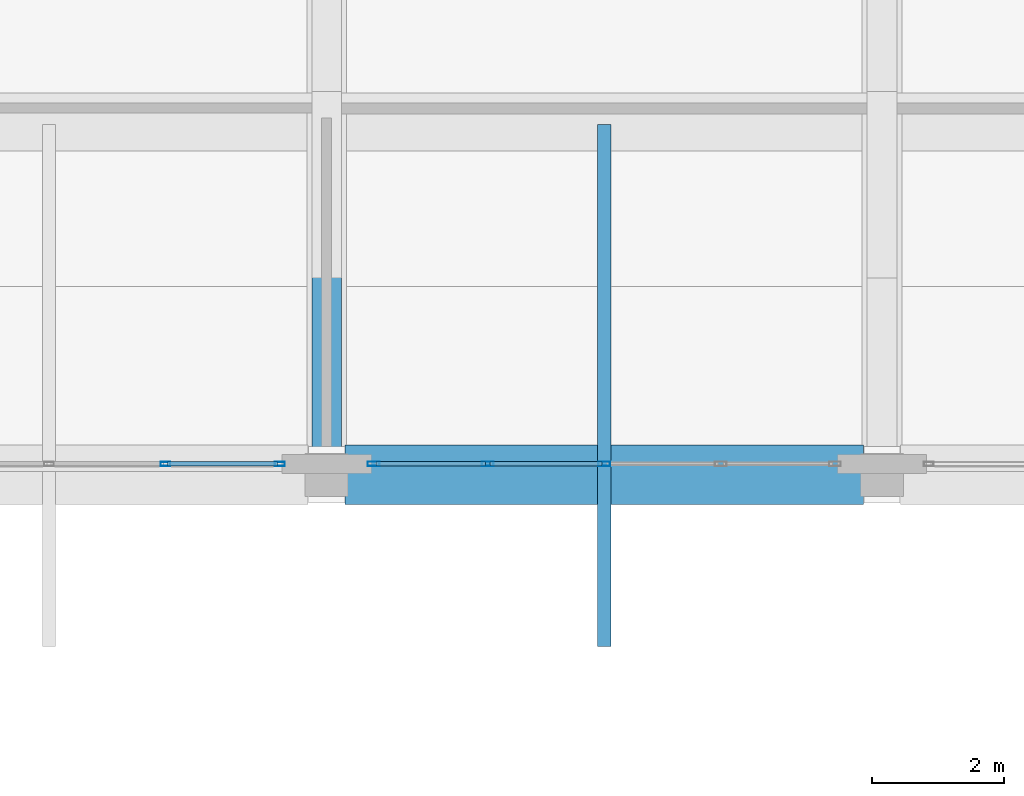
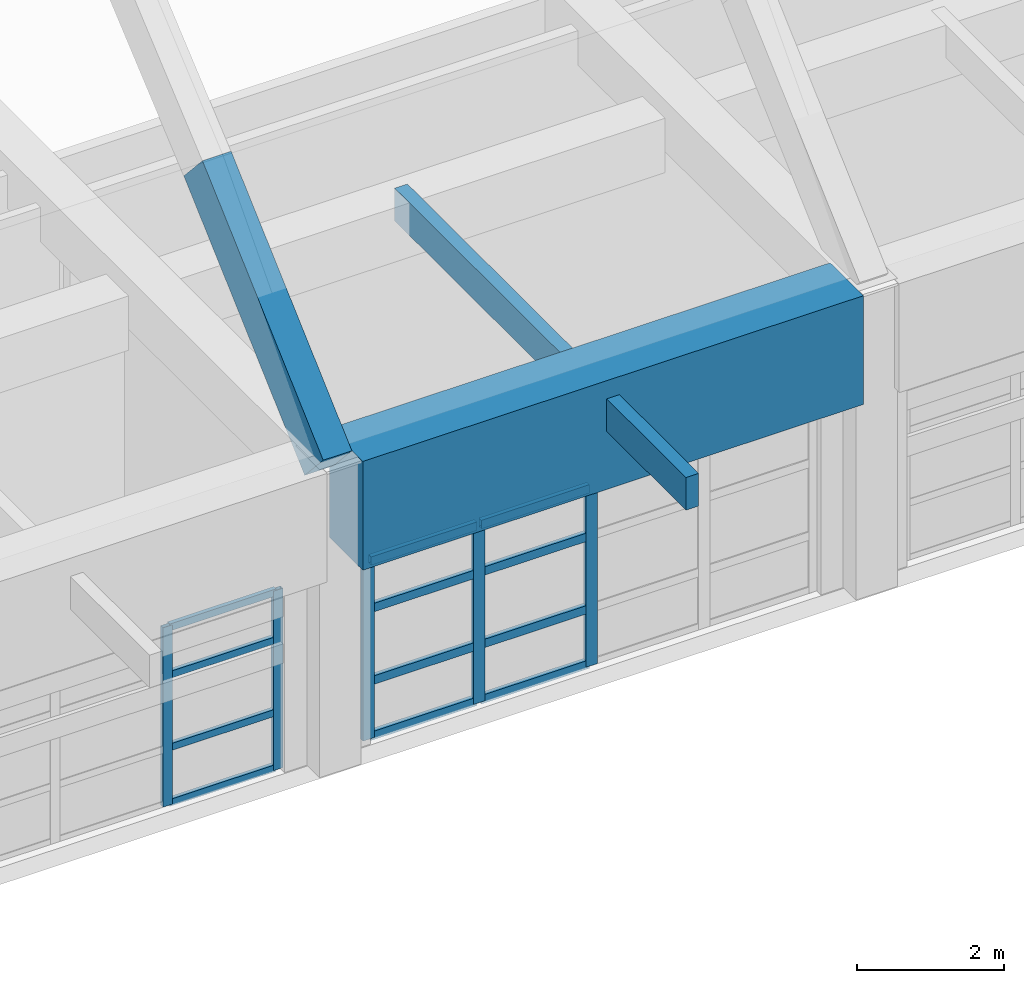
# One storey, part 43 of 103: 18 members, 2 beams, 2 elements without a shape of their own.
"""IFC4 building model written with IfcOpenShell, lengths in metres."""

from ifc_helpers import new_model, si_unit, direction, frame, origin, origin_2d, place, context, subcontext, project, spatial, rectangle, hollow_rectangle, extrude, material, layer, layer_set, material_profile, profile_set, type_object, element, aggregate, save


model = new_model("IFC4")

# Units and contexts
model_context = context("Model", 3, precision=1e-05, world=origin(), true_north=direction((0.0, 1.0)))
body_context = subcontext(model_context, "Body", "Model", "MODEL_VIEW")
ifc_project = project(units=[si_unit("LENGTHUNIT", "METRE"), si_unit("AREAUNIT", "SQUARE_METRE"), si_unit("VOLUMEUNIT", "CUBIC_METRE"), si_unit("PLANEANGLEUNIT", "RADIAN"), si_unit("MASSUNIT", "GRAM", prefix="KILO")], contexts=[model_context])

# Site, building, storey
site_placement = place(None, origin())
site = spatial("IfcSite", under=ifc_project, at=site_placement, CompositionType="ELEMENT")
building_placement = place(site_placement, origin())
building = spatial("IfcBuilding", under=site, at=building_placement, Name="Quendrovan Civic Courthouse", CompositionType="ELEMENT")
storey_placement = place(building_placement, frame((0.0, 0.0, 15.300048828125)))
storey = spatial("IfcBuildingStorey", under=building, at=storey_placement, Name="L04", CompositionType="ELEMENT", Elevation=15.300048828125)

# Beams
ifc_material_1 = material(Name="Concrete C45/55", Category="concrete")
ifc_material_profile_1 = material_profile(ifc_material_1, rectangle(XDim=0.89990234375, YDim=1.800048828125, at=origin_2d()), Name="RC-TG-900x1800")
ifc_profile_set_1 = profile_set([ifc_material_profile_1], Name="Concrete C45/55")
beam_type_1 = type_object("IfcBeamType", Name="BM-TG1800", PredefinedType="BEAM", material=ifc_profile_set_1)
beam_1_placement = place(storey_placement, frame((67.47998046875, 64.800048828125, 4.199951171875), z_axis=(1.0, 0.0, 0.0), x_axis=(0.0, 1.0, 0.0)))
element("IfcBeam", 1, at=beam_1_placement, inside=storey, type_object=beam_type_1, Name="BV2 Springing Collector Girder S-5", PredefinedType="BEAM", context=body_context, shape_type="SweptSolid", body=[
    extrude(rectangle(XDim=0.89990234375, YDim=1.800048828125, at=origin_2d()), origin(), (0.0, 0.0, 1.0), 7.840087890625),
])
ifc_material_2 = material(Name="Concrete C40/50", Category="concrete")
ifc_material_profile_2 = material_profile(ifc_material_2, rectangle(XDim=0.449951171875, YDim=0.75, at=origin_2d()), Name="RC-VRIB-450x750")
ifc_profile_set_2 = profile_set([ifc_material_profile_2], Name="Concrete C40/50")
beam_type_2 = type_object("IfcBeamType", Name="BM-VRIB750", PredefinedType="BEAM", material=ifc_profile_set_2)
beam_2_placement = place(storey_placement, frame((67.199951171875, 64.800048828125, 4.89990234375), z_axis=(0.0, 0.740758632606, 0.671771276716), x_axis=(-1.0, 0.0, 0.0)))
element("IfcBeam", 2, at=beam_2_placement, inside=storey, type_object=beam_type_2, Name="BV2 Concrete Vault Arch Rib A5-C1", PredefinedType="BEAM", context=body_context, shape_type="SweptSolid", body=[
    extrude(rectangle(XDim=0.449951171875, YDim=0.75, at=origin_2d()), origin(), (0.0, 0.0, 1.0), 4.423583984375),
])

# Curtain wall, members
ifc_material_3 = material(Name="Bronze anodised aluminium and low-E glass", Category="aluminium")
ifc_layer = layer(ifc_material_3, 0.179931640625, Name="Bronze anodised aluminium and low-E glass")
ifc_layer_set = layer_set([ifc_layer], Name="Bronze anodised aluminium and low-E glass")
curtain_wall_type = type_object("IfcCurtainWallType", Name="CW-U70x30", PredefinedType="USERDEFINED", material=ifc_layer_set)
curtain_wall_1_placement = place(storey_placement, origin())
curtain_wall_1 = element("IfcCurtainWall", 3, at=curtain_wall_1_placement, inside=storey, type_object=curtain_wall_type, Name="L04 Unitised Hurricane Curtain Wall CW-160", ObjectType="UNITISED CURTAIN WALL", PredefinedType="USERDEFINED")
ifc_material_4 = material(Name="Bronze anodised aluminium", Category="aluminium")
ifc_material_profile_3 = material_profile(ifc_material_4, hollow_rectangle(XDim=0.070068359375, YDim=0.179931640625, WallThickness=0.00390625, at=origin_2d()), Name="CW-MULL-70x180")
ifc_profile_set_3 = profile_set([ifc_material_profile_3], Name="Bronze anodised aluminium")
member_type_1 = type_object("IfcMemberType", Name="CW-MULL-A", PredefinedType="MULLION", material=ifc_profile_set_3)
member_1_placement = place(storey_placement, frame((71.39990234375, 64.965087890625, 0.0), z_axis=(0.0, 0.0, 1.0), x_axis=(0.0, -1.0, 0.0)))
member_1 = element("IfcMember", 4, at=member_1_placement, type_object=member_type_1, Name="CW-160 mullion 3", PredefinedType="MULLION", context=body_context, shape_type="SweptSolid", body=[
    extrude(hollow_rectangle(XDim=0.070068359375, YDim=0.179931640625, WallThickness=0.00390625, at=origin_2d()), origin(), (0.0, 0.0, 1.0), 2.969970703125),
])
member_2_placement = place(storey_placement, frame((69.637451171875, 64.965087890625, 0.0), z_axis=(0.0, 0.0, 1.0), x_axis=(0.0, -1.0, 0.0)))
member_2 = element("IfcMember", 5, at=member_2_placement, type_object=member_type_1, Name="CW-160 mullion 4", PredefinedType="MULLION", context=body_context, shape_type="SweptSolid", body=[
    extrude(hollow_rectangle(XDim=0.070068359375, YDim=0.179931640625, WallThickness=0.00390625, at=origin_2d()), origin(), (0.0, 0.0, 1.0), 2.969970703125),
])
member_3_placement = place(storey_placement, frame((67.909912109375, 64.965087890625, 0.0), z_axis=(0.0, 0.0, 1.0), x_axis=(0.0, -1.0, 0.0)))
member_3 = element("IfcMember", 6, at=member_3_placement, type_object=member_type_1, Name="CW-160 mullion 5", PredefinedType="MULLION", context=body_context, shape_type="SweptSolid", body=[
    extrude(hollow_rectangle(XDim=0.070068359375, YDim=0.179931640625, WallThickness=0.00390625, at=origin_2d()), origin(), (0.0, 0.0, 1.0), 2.969970703125),
])

curtain_wall_2_placement = place(storey_placement, origin())
curtain_wall_2 = element("IfcCurtainWall", 7, at=curtain_wall_2_placement, inside=storey, type_object=curtain_wall_type, Name="L04 Unitised Hurricane Curtain Wall CW-161", ObjectType="UNITISED CURTAIN WALL", PredefinedType="USERDEFINED")
ifc_material_profile_4 = material_profile(ifc_material_4, hollow_rectangle(XDim=0.06494140625, YDim=0.14990234375, WallThickness=0.00390625, at=origin_2d()), Name="CW-MULL-65x150")
ifc_profile_set_4 = profile_set([ifc_material_profile_4], Name="Bronze anodised aluminium")
member_type_2 = type_object("IfcMemberType", Name="CW-MULL-B", PredefinedType="MULLION", material=ifc_profile_set_4)
member_4_placement = place(storey_placement, frame((66.492431640625, 64.965087890625, 0.0), z_axis=(0.0, 0.0, 1.0), x_axis=(0.0, -1.0, 0.0)))
member_4 = element("IfcMember", 8, at=member_4_placement, type_object=member_type_2, Name="CW-161 mullion 1", PredefinedType="MULLION", context=body_context, shape_type="SweptSolid", body=[
    extrude(hollow_rectangle(XDim=0.06494140625, YDim=0.14990234375, WallThickness=0.00390625, at=origin_2d()), origin(), (0.0, 0.0, 1.0), 2.969970703125),
])
member_5_placement = place(storey_placement, frame((64.762451171875, 64.965087890625, 0.0), z_axis=(0.0, 0.0, 1.0), x_axis=(0.0, -1.0, 0.0)))
member_5 = element("IfcMember", 9, at=member_5_placement, type_object=member_type_2, Name="CW-161 mullion 2", PredefinedType="MULLION", context=body_context, shape_type="SweptSolid", body=[
    extrude(hollow_rectangle(XDim=0.06494140625, YDim=0.14990234375, WallThickness=0.00390625, at=origin_2d()), origin(), (0.0, 0.0, 1.0), 2.969970703125),
])

# Member
ifc_material_profile_5 = material_profile(ifc_material_4, hollow_rectangle(XDim=0.070068359375, YDim=0.139892578125, WallThickness=0.00390625, at=origin_2d()), Name="CW-TRAN-70x140")
ifc_profile_set_5 = profile_set([ifc_material_profile_5], Name="Bronze anodised aluminium")
member_type_3 = type_object("IfcMemberType", Name="CW-TRAN-A", PredefinedType="USERDEFINED", material=ifc_profile_set_5)
member_6_placement = place(storey_placement, frame((71.364990234375, 64.965087890625, 0.034912109375), z_axis=(-1.0, 0.0, 0.0), x_axis=(0.0, -1.0, 0.0)))
member_6 = element("IfcMember", 10, at=member_6_placement, type_object=member_type_3, Name="CW-160 transom 3.1", ObjectType="TRANSOM", PredefinedType="USERDEFINED", context=body_context, shape_type="SweptSolid", body=[
    extrude(hollow_rectangle(XDim=0.070068359375, YDim=0.139892578125, WallThickness=0.00390625, at=origin_2d()), origin(), (0.0, 0.0, 1.0), 1.6923828125),
])

member_7_placement = place(storey_placement, frame((71.364990234375, 64.965087890625, 0.949951171875), z_axis=(-1.0, 0.0, 0.0), x_axis=(0.0, -1.0, 0.0)))
member_7 = element("IfcMember", 11, at=member_7_placement, type_object=member_type_3, Name="CW-160 transom 3.2", ObjectType="TRANSOM", PredefinedType="USERDEFINED", context=body_context, shape_type="SweptSolid", body=[
    extrude(hollow_rectangle(XDim=0.070068359375, YDim=0.139892578125, WallThickness=0.00390625, at=origin_2d()), origin(), (0.0, 0.0, 1.0), 1.6923828125),
])

member_8_placement = place(storey_placement, frame((71.364990234375, 64.965087890625, 2.14990234375), z_axis=(-1.0, 0.0, 0.0), x_axis=(0.0, -1.0, 0.0)))
member_8 = element("IfcMember", 12, at=member_8_placement, type_object=member_type_3, Name="CW-160 transom 3.3", ObjectType="TRANSOM", PredefinedType="USERDEFINED", context=body_context, shape_type="SweptSolid", body=[
    extrude(hollow_rectangle(XDim=0.070068359375, YDim=0.139892578125, WallThickness=0.00390625, at=origin_2d()), origin(), (0.0, 0.0, 1.0), 1.6923828125),
])

member_9_placement = place(storey_placement, frame((71.364990234375, 64.965087890625, 2.93505859375), z_axis=(-1.0, 0.0, 0.0), x_axis=(0.0, -1.0, 0.0)))
member_9 = element("IfcMember", 13, at=member_9_placement, type_object=member_type_3, Name="CW-160 transom 3.4", ObjectType="TRANSOM", PredefinedType="USERDEFINED", context=body_context, shape_type="SweptSolid", body=[
    extrude(hollow_rectangle(XDim=0.070068359375, YDim=0.139892578125, WallThickness=0.00390625, at=origin_2d()), origin(), (0.0, 0.0, 1.0), 1.6923828125),
])

member_10_placement = place(storey_placement, frame((69.6025390625, 64.965087890625, 0.034912109375), z_axis=(-1.0, 0.0, 0.0), x_axis=(0.0, -1.0, 0.0)))
member_10 = element("IfcMember", 14, at=member_10_placement, type_object=member_type_3, Name="CW-160 transom 4.1", ObjectType="TRANSOM", PredefinedType="USERDEFINED", context=body_context, shape_type="SweptSolid", body=[
    extrude(hollow_rectangle(XDim=0.070068359375, YDim=0.139892578125, WallThickness=0.00390625, at=origin_2d()), origin(), (0.0, 0.0, 1.0), 1.657470703125),
])

member_11_placement = place(storey_placement, frame((69.6025390625, 64.965087890625, 0.949951171875), z_axis=(-1.0, 0.0, 0.0), x_axis=(0.0, -1.0, 0.0)))
member_11 = element("IfcMember", 15, at=member_11_placement, type_object=member_type_3, Name="CW-160 transom 4.2", ObjectType="TRANSOM", PredefinedType="USERDEFINED", context=body_context, shape_type="SweptSolid", body=[
    extrude(hollow_rectangle(XDim=0.070068359375, YDim=0.139892578125, WallThickness=0.00390625, at=origin_2d()), origin(), (0.0, 0.0, 1.0), 1.657470703125),
])

member_12_placement = place(storey_placement, frame((69.6025390625, 64.965087890625, 2.14990234375), z_axis=(-1.0, 0.0, 0.0), x_axis=(0.0, -1.0, 0.0)))
member_12 = element("IfcMember", 16, at=member_12_placement, type_object=member_type_3, Name="CW-160 transom 4.3", ObjectType="TRANSOM", PredefinedType="USERDEFINED", context=body_context, shape_type="SweptSolid", body=[
    extrude(hollow_rectangle(XDim=0.070068359375, YDim=0.139892578125, WallThickness=0.00390625, at=origin_2d()), origin(), (0.0, 0.0, 1.0), 1.657470703125),
])

member_13_placement = place(storey_placement, frame((69.6025390625, 64.965087890625, 2.93505859375), z_axis=(-1.0, 0.0, 0.0), x_axis=(0.0, -1.0, 0.0)))
member_13 = element("IfcMember", 17, at=member_13_placement, type_object=member_type_3, Name="CW-160 transom 4.4", ObjectType="TRANSOM", PredefinedType="USERDEFINED", context=body_context, shape_type="SweptSolid", body=[
    extrude(hollow_rectangle(XDim=0.070068359375, YDim=0.139892578125, WallThickness=0.00390625, at=origin_2d()), origin(), (0.0, 0.0, 1.0), 1.657470703125),
])

aggregate(curtain_wall_1, [member_1, member_2, member_3, member_6, member_7, member_8, member_9, member_10, member_11, member_12, member_13])

ifc_material_profile_6 = material_profile(ifc_material_4, hollow_rectangle(XDim=0.06494140625, YDim=0.114990234375, WallThickness=0.00390625, at=origin_2d()), Name="CW-TRAN-65x115")
ifc_profile_set_6 = profile_set([ifc_material_profile_6], Name="Bronze anodised aluminium")
member_type_4 = type_object("IfcMemberType", Name="CW-TRAN-B", PredefinedType="USERDEFINED", material=ifc_profile_set_6)
member_14_placement = place(storey_placement, frame((66.4599609375, 64.965087890625, 0.032470703125), z_axis=(-1.0, 0.0, 0.0), x_axis=(0.0, -1.0, 0.0)))
member_14 = element("IfcMember", 18, at=member_14_placement, type_object=member_type_4, Name="CW-161 transom 1.1", ObjectType="TRANSOM", PredefinedType="USERDEFINED", context=body_context, shape_type="SweptSolid", body=[
    extrude(hollow_rectangle(XDim=0.06494140625, YDim=0.114990234375, WallThickness=0.00390625, at=origin_2d()), origin(), (0.0, 0.0, 1.0), 1.6650390625),
])

member_15_placement = place(storey_placement, frame((66.4599609375, 64.965087890625, 0.949951171875), z_axis=(-1.0, 0.0, 0.0), x_axis=(0.0, -1.0, 0.0)))
member_15 = element("IfcMember", 19, at=member_15_placement, type_object=member_type_4, Name="CW-161 transom 1.2", ObjectType="TRANSOM", PredefinedType="USERDEFINED", context=body_context, shape_type="SweptSolid", body=[
    extrude(hollow_rectangle(XDim=0.06494140625, YDim=0.114990234375, WallThickness=0.00390625, at=origin_2d()), origin(), (0.0, 0.0, 1.0), 1.6650390625),
])

member_16_placement = place(storey_placement, frame((66.4599609375, 64.965087890625, 2.14990234375), z_axis=(-1.0, 0.0, 0.0), x_axis=(0.0, -1.0, 0.0)))
member_16 = element("IfcMember", 20, at=member_16_placement, type_object=member_type_4, Name="CW-161 transom 1.3", ObjectType="TRANSOM", PredefinedType="USERDEFINED", context=body_context, shape_type="SweptSolid", body=[
    extrude(hollow_rectangle(XDim=0.06494140625, YDim=0.114990234375, WallThickness=0.00390625, at=origin_2d()), origin(), (0.0, 0.0, 1.0), 1.6650390625),
])

member_17_placement = place(storey_placement, frame((66.4599609375, 64.965087890625, 2.9375), z_axis=(-1.0, 0.0, 0.0), x_axis=(0.0, -1.0, 0.0)))
member_17 = element("IfcMember", 21, at=member_17_placement, type_object=member_type_4, Name="CW-161 transom 1.4", ObjectType="TRANSOM", PredefinedType="USERDEFINED", context=body_context, shape_type="SweptSolid", body=[
    extrude(hollow_rectangle(XDim=0.06494140625, YDim=0.114990234375, WallThickness=0.00390625, at=origin_2d()), origin(), (0.0, 0.0, 1.0), 1.6650390625),
])

aggregate(curtain_wall_2, [member_4, member_5, member_14, member_15, member_16, member_17])

ifc_material_5 = material(Name="Western Red Cedar Glulam GL28h", Category="wood")
ifc_material_profile_7 = material_profile(ifc_material_5, rectangle(XDim=0.199951171875, YDim=0.5400390625, at=origin_2d()), Name="GL28H-200x540")
ifc_profile_set_7 = profile_set([ifc_material_profile_7], Name="Western Red Cedar Glulam GL28h")
member_type_5 = type_object("IfcMemberType", Name="MEM-PUR-GL540", PredefinedType="PURLIN", material=ifc_profile_set_7)
member_18_placement = place(storey_placement, frame((71.39990234375, 62.199951171875, 4.530029296875), z_axis=(0.0, 1.0, 0.0), x_axis=(-1.0, 0.0, 0.0)))
element("IfcMember", 22, at=member_18_placement, inside=storey, type_object=member_type_5, Name="BV2 Cedar Glulam South Hurricane Eave Outrigger B5", PredefinedType="PURLIN", context=body_context, shape_type="SweptSolid", body=[
    extrude(rectangle(XDim=0.199951171875, YDim=0.5400390625, at=origin_2d()), origin(), (0.0, 0.0, 1.0), 7.900146484375),
])

save(model, "model.ifc")
